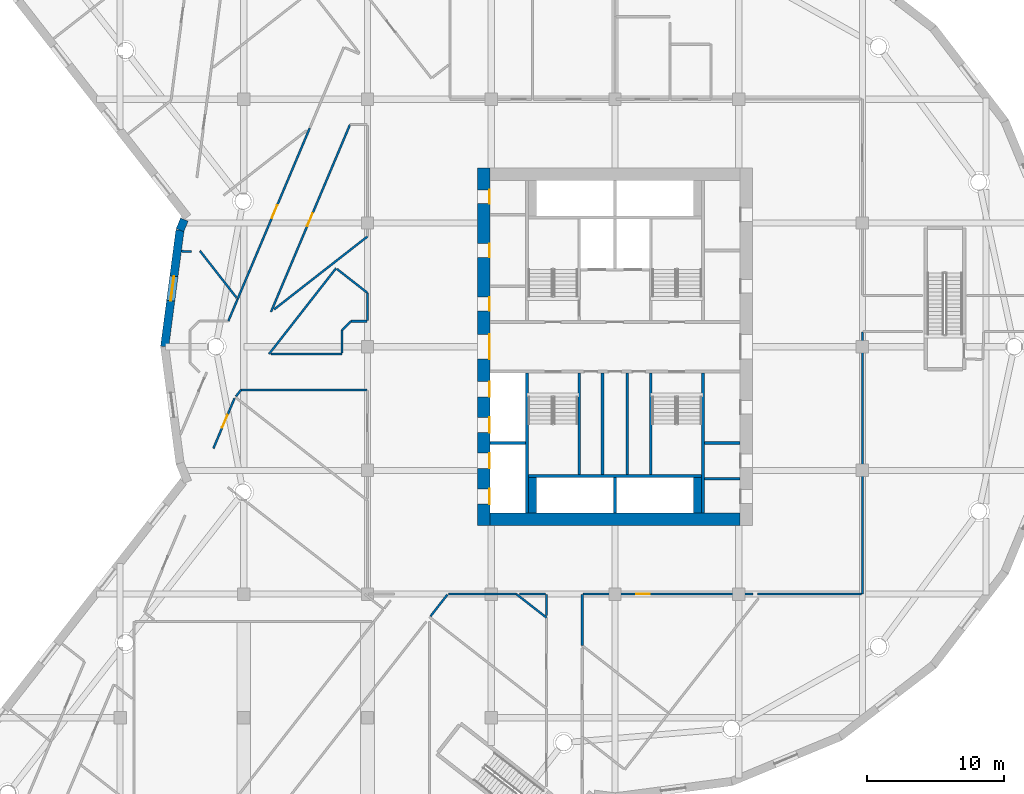
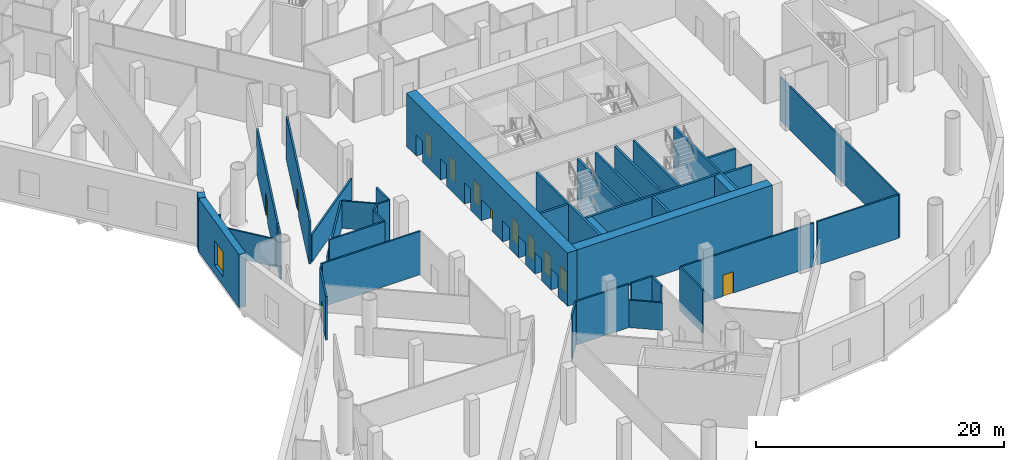
# One storey, part 6 of 23: 42 walls, 12 doors, 1 window, 13 openings.
"""IFC4 building model written with IfcOpenShell, lengths in metres."""

from ifc_helpers import new_model, si_unit, direction, frame, frame_2d, origin, place, context, subcontext, project, spatial, rectangle, extrude, material, layer, layer_set, type_object, element, fill, save


model = new_model("IFC4")

# Units and contexts
model_context = context("Model", 3, precision=1e-05, world=origin(), true_north=direction((0.0, 1.0)))
body_context = subcontext(model_context, "Body", "Model", "MODEL_VIEW")
ifc_project = project(units=[si_unit("LENGTHUNIT", "METRE"), si_unit("AREAUNIT", "SQUARE_METRE"), si_unit("VOLUMEUNIT", "CUBIC_METRE"), si_unit("PLANEANGLEUNIT", "RADIAN"), si_unit("MASSUNIT", "GRAM", prefix="KILO")], contexts=[model_context])

# Site, building, storey
site_placement = place(None, origin())
site = spatial("IfcSite", under=ifc_project, at=site_placement, CompositionType="ELEMENT")
building_placement = place(site_placement, origin())
building = spatial("IfcBuilding", under=site, at=building_placement, Name="Tarsis Ring Headquarters", CompositionType="ELEMENT")
storey_placement = place(building_placement, frame((0.0, 0.0, 14.0)))
storey = spatial("IfcBuildingStorey", under=building, at=storey_placement, Name="L02", CompositionType="ELEMENT", Elevation=14.0)

# Walls
ifc_material_1 = material(Name="Blockwork", Category="masonry")
ifc_layer_1 = layer(ifc_material_1, 0.199951171875)
ifc_layer_set_1 = layer_set([ifc_layer_1], Name="Core blockwork wall 200")
wall_type_1 = type_object("IfcWallType", Name="Core blockwork wall 200", PredefinedType="PARTITIONING", material=ifc_layer_set_1)
for number, where, z_axis, x_axis, name in (
    (1, (6.5, -9.60009765625, 0.0), (0.0, 0.0, 1.0), (1.0, 0.0, 0.0), "Core partition ED1"),
    (2, (6.5, -7.0, 0.0), (0.0, 0.0, 1.0), (1.0, 0.0, 0.0), "Core partition ED2"),
):
    element("IfcWall", number, at=place(storey_placement, frame(where, z_axis=z_axis, x_axis=x_axis)), inside=storey, type_object=wall_type_1, Name=name, PredefinedType="PARTITIONING", context=body_context, shape_type="SweptSolid", body=[
        extrude(rectangle(XDim=2.60009765625, YDim=0.199951171875, at=frame_2d((1.300048828125, 0.0))), origin(), (0.0, 0.0, 1.0), 5.25),
    ])
for number, where, z_axis, x_axis, name in (
    (3, (-0.89990234375, -9.300048828125, 0.0), (0.0, 0.0, 1.0), (0.0, 1.0, 0.0), "Core partition SV1"),
    (4, (0.89990234375, -9.300048828125, 0.0), (0.0, 0.0, 1.0), (0.0, 1.0, 0.0), "Core partition SV2"),
):
    element("IfcWall", number, at=place(storey_placement, frame(where, z_axis=z_axis, x_axis=x_axis)), inside=storey, type_object=wall_type_1, Name=name, PredefinedType="PARTITIONING", context=body_context, shape_type="SweptSolid", body=[
        extrude(rectangle(XDim=7.400146484375, YDim=0.199951171875, at=frame_2d((3.7001953125, 0.0))), origin(), (0.0, 0.0, 1.0), 5.25),
    ])

# Wall, openings, doors
ifc_material_2 = material(Name="Concrete C60/75", Category="concrete")
ifc_layer_2 = layer(ifc_material_2, 0.89990234375)
ifc_layer_set_2 = layer_set([ifc_layer_2], Name="Core wall 900 C60/75")
wall_type_2 = type_object("IfcWallType", Name="Core wall 900 C60/75", PredefinedType="SHEAR", material=ifc_layer_set_2)
wall_1_placement = place(storey_placement, frame((-9.550048828125, -13.0, 0.0), z_axis=(0.0, 0.0, 1.0), x_axis=(0.0, 1.0, 0.0)))
wall_1 = element("IfcWall", 5, at=wall_1_placement, inside=storey, type_object=wall_type_2, Name="Core wall OW", PredefinedType="SHEAR", context=body_context, shape_type="SweptSolid", body=[
    extrude(rectangle(XDim=26.0, YDim=0.89990234375, at=frame_2d((13.0, 0.0))), origin(), (0.0, 0.0, 1.0), 5.25),
])
opening_1_placement = place(wall_1_placement, frame((1.550048828125, 0.0, 0.0)))
opening_1 = element("IfcOpeningElement", 6, at=opening_1_placement, cuts=wall_1, Name="Opening LD-LR1", PredefinedType="OPENING", context=body_context, shape_type="SweptSolid", body=[
    extrude(rectangle(XDim=1.10009765625, YDim=2.10009765625, at=frame_2d((0.550048828125, 1.050048828125))), frame((0.0, 0.4599609375, 0.0), z_axis=(0.0, -1.0, 0.0), x_axis=(1.0, 0.0, 0.0)), (0.0, 0.0, 1.0), 0.919921875),
])
opening_2_placement = place(wall_1_placement, frame((4.14990234375, 0.0, 0.0)))
opening_2 = element("IfcOpeningElement", 7, at=opening_2_placement, cuts=wall_1, Name="Opening LD-LR2", PredefinedType="OPENING", context=body_context, shape_type="SweptSolid", body=[
    extrude(rectangle(XDim=1.10009765625, YDim=2.10009765625, at=frame_2d((0.550048828125, 1.050048828125))), frame((0.0, 0.4599609375, 0.0), z_axis=(0.0, -1.0, 0.0), x_axis=(1.0, 0.0, 0.0)), (0.0, 0.0, 1.0), 0.919921875),
])
opening_3_placement = place(wall_1_placement, frame((6.75, 0.0, 0.0)))
opening_3 = element("IfcOpeningElement", 8, at=opening_3_placement, cuts=wall_1, Name="Opening LD-LR3", PredefinedType="OPENING", context=body_context, shape_type="SweptSolid", body=[
    extrude(rectangle(XDim=1.10009765625, YDim=2.10009765625, at=frame_2d((0.550048828125, 1.050048828125))), frame((0.0, 0.4599609375, 0.0), z_axis=(0.0, -1.0, 0.0), x_axis=(1.0, 0.0, 0.0)), (0.0, 0.0, 1.0), 0.919921875),
])
opening_4_placement = place(wall_1_placement, frame((9.35009765625, 0.0, 0.0)))
opening_4 = element("IfcOpeningElement", 9, at=opening_4_placement, cuts=wall_1, Name="Opening LD-LR4", PredefinedType="OPENING", context=body_context, shape_type="SweptSolid", body=[
    extrude(rectangle(XDim=1.10009765625, YDim=2.10009765625, at=frame_2d((0.550048828125, 1.050048828125))), frame((0.0, 0.4599609375, 0.0), z_axis=(0.0, -1.0, 0.0), x_axis=(1.0, 0.0, 0.0)), (0.0, 0.0, 1.0), 0.919921875),
])
opening_5_placement = place(wall_1_placement, frame((12.10009765625, 0.0, 0.0)))
opening_5 = element("IfcOpeningElement", 10, at=opening_5_placement, cuts=wall_1, Name="Opening L02-C05", PredefinedType="OPENING", context=body_context, shape_type="SweptSolid", body=[
    extrude(rectangle(XDim=1.800048828125, YDim=2.10009765625, at=frame_2d((0.89990234375, 1.050048828125))), frame((0.0, 0.4599609375, 0.0), z_axis=(0.0, -1.0, 0.0), x_axis=(1.0, 0.0, 0.0)), (0.0, 0.0, 1.0), 0.919921875),
])
opening_6_placement = place(wall_1_placement, frame((15.60009765625, 0.0, 0.0)))
opening_6 = element("IfcOpeningElement", 11, at=opening_6_placement, cuts=wall_1, Name="Opening L02-C06", PredefinedType="OPENING", context=body_context, shape_type="SweptSolid", body=[
    extrude(rectangle(XDim=1.0, YDim=2.10009765625, at=frame_2d((0.5, 1.050048828125))), frame((0.0, 0.4599609375, 0.0), z_axis=(0.0, -1.0, 0.0), x_axis=(1.0, 0.0, 0.0)), (0.0, 0.0, 1.0), 0.919921875),
])
opening_7_placement = place(wall_1_placement, frame((19.5, 0.0, 0.0)))
opening_7 = element("IfcOpeningElement", 12, at=opening_7_placement, cuts=wall_1, Name="Opening L02-C07", PredefinedType="OPENING", context=body_context, shape_type="SweptSolid", body=[
    extrude(rectangle(XDim=1.0, YDim=2.10009765625, at=frame_2d((0.5, 1.050048828125))), frame((0.0, 0.4599609375, 0.0), z_axis=(0.0, -1.0, 0.0), x_axis=(1.0, 0.0, 0.0)), (0.0, 0.0, 1.0), 0.919921875),
])
opening_8_placement = place(wall_1_placement, frame((23.39990234375, 0.0, 0.0)))
opening_8 = element("IfcOpeningElement", 13, at=opening_8_placement, cuts=wall_1, Name="Opening L02-C08", PredefinedType="OPENING", context=body_context, shape_type="SweptSolid", body=[
    extrude(rectangle(XDim=1.0, YDim=2.10009765625, at=frame_2d((0.5, 1.050048828125))), frame((0.0, 0.4599609375, 0.0), z_axis=(0.0, -1.0, 0.0), x_axis=(1.0, 0.0, 0.0)), (0.0, 0.0, 1.0), 0.919921875),
])
ifc_material_3 = material(Name="Steel S355", Category="steel")
door_type_1 = type_object("IfcDoorType", Name="Core entry door 1800x2100", OperationType="DOUBLE_DOOR_SINGLE_SWING", PredefinedType="DOOR", material=ifc_material_3)
door_1_placement = place(opening_5_placement, origin())
door_1 = element("IfcDoor", 14, at=door_1_placement, inside=storey, type_object=door_type_1, Name="Core entry door L02", OperationType="DOUBLE_DOOR_SINGLE_SWING", OverallHeight=2.10009765625, OverallWidth=1.800048828125, PredefinedType="DOOR", context=body_context, shape_type="SweptSolid", body=[
    extrude(rectangle(XDim=1.800048828125, YDim=2.10009765625, at=frame_2d((0.89990234375, 1.050048828125))), frame((0.0, -0.39990234375, 0.0), z_axis=(0.0, -1.0, 0.0), x_axis=(1.0, 0.0, 0.0)), (0.0, 0.0, 1.0), 0.050048828125),
])
fill(opening_5, door_1)
door_type_2 = type_object("IfcDoorType", Name="Core room door 1000x2100", OperationType="SINGLE_SWING_LEFT", PredefinedType="DOOR", material=ifc_material_3)
door_2_placement = place(opening_6_placement, origin())
door_2 = element("IfcDoor", 15, at=door_2_placement, inside=storey, type_object=door_type_2, Name="Core room door L02", OperationType="SINGLE_SWING_LEFT", OverallHeight=2.10009765625, OverallWidth=1.0, PredefinedType="DOOR", context=body_context, shape_type="SweptSolid", body=[
    extrude(rectangle(XDim=1.0, YDim=2.10009765625, at=frame_2d((0.5, 1.050048828125))), frame((0.0, -0.39990234375, 0.0), z_axis=(0.0, -1.0, 0.0), x_axis=(1.0, 0.0, 0.0)), (0.0, 0.0, 1.0), 0.050048828125),
])
fill(opening_6, door_2)
door_3_placement = place(opening_7_placement, origin())
door_3 = element("IfcDoor", 16, at=door_3_placement, inside=storey, type_object=door_type_2, Name="Core room door L02", OperationType="SINGLE_SWING_LEFT", OverallHeight=2.10009765625, OverallWidth=1.0, PredefinedType="DOOR", context=body_context, shape_type="SweptSolid", body=[
    extrude(rectangle(XDim=1.0, YDim=2.10009765625, at=frame_2d((0.5, 1.050048828125))), frame((0.0, -0.39990234375, 0.0), z_axis=(0.0, -1.0, 0.0), x_axis=(1.0, 0.0, 0.0)), (0.0, 0.0, 1.0), 0.050048828125),
])
fill(opening_7, door_3)
door_4_placement = place(opening_8_placement, origin())
door_4 = element("IfcDoor", 17, at=door_4_placement, inside=storey, type_object=door_type_2, Name="Core room door L02", OperationType="SINGLE_SWING_LEFT", OverallHeight=2.10009765625, OverallWidth=1.0, PredefinedType="DOOR", context=body_context, shape_type="SweptSolid", body=[
    extrude(rectangle(XDim=1.0, YDim=2.10009765625, at=frame_2d((0.5, 1.050048828125))), frame((0.0, -0.39990234375, 0.0), z_axis=(0.0, -1.0, 0.0), x_axis=(1.0, 0.0, 0.0)), (0.0, 0.0, 1.0), 0.050048828125),
])
fill(opening_8, door_4)
door_type_3 = type_object("IfcDoorType", Name="Landing door 1100x2100", OperationType="SLIDING_TO_LEFT", PredefinedType="DOOR", material=ifc_material_3)
door_5_placement = place(opening_1_placement, origin())
door_5 = element("IfcDoor", 18, at=door_5_placement, inside=storey, type_object=door_type_3, Name="Landing door LR1 L02", OperationType="SLIDING_TO_LEFT", OverallHeight=2.10009765625, OverallWidth=1.10009765625, PredefinedType="DOOR", context=body_context, shape_type="SweptSolid", body=[
    extrude(rectangle(XDim=1.10009765625, YDim=2.10009765625, at=frame_2d((0.550048828125, 1.050048828125))), frame((0.0, -0.39990234375, 0.0), z_axis=(0.0, -1.0, 0.0), x_axis=(1.0, 0.0, 0.0)), (0.0, 0.0, 1.0), 0.050048828125),
])
fill(opening_1, door_5)
door_6_placement = place(opening_2_placement, origin())
door_6 = element("IfcDoor", 19, at=door_6_placement, inside=storey, type_object=door_type_3, Name="Landing door LR2 L02", OperationType="SLIDING_TO_LEFT", OverallHeight=2.10009765625, OverallWidth=1.10009765625, PredefinedType="DOOR", context=body_context, shape_type="SweptSolid", body=[
    extrude(rectangle(XDim=1.10009765625, YDim=2.10009765625, at=frame_2d((0.550048828125, 1.050048828125))), frame((0.0, -0.39990234375, 0.0), z_axis=(0.0, -1.0, 0.0), x_axis=(1.0, 0.0, 0.0)), (0.0, 0.0, 1.0), 0.050048828125),
])
fill(opening_2, door_6)
door_7_placement = place(opening_3_placement, origin())
door_7 = element("IfcDoor", 20, at=door_7_placement, inside=storey, type_object=door_type_3, Name="Landing door LR3 L02", OperationType="SLIDING_TO_LEFT", OverallHeight=2.10009765625, OverallWidth=1.10009765625, PredefinedType="DOOR", context=body_context, shape_type="SweptSolid", body=[
    extrude(rectangle(XDim=1.10009765625, YDim=2.10009765625, at=frame_2d((0.550048828125, 1.050048828125))), frame((0.0, -0.39990234375, 0.0), z_axis=(0.0, -1.0, 0.0), x_axis=(1.0, 0.0, 0.0)), (0.0, 0.0, 1.0), 0.050048828125),
])
fill(opening_3, door_7)
door_8_placement = place(opening_4_placement, origin())
door_8 = element("IfcDoor", 21, at=door_8_placement, inside=storey, type_object=door_type_3, Name="Landing door LR4 L02", OperationType="SLIDING_TO_LEFT", OverallHeight=2.10009765625, OverallWidth=1.10009765625, PredefinedType="DOOR", context=body_context, shape_type="SweptSolid", body=[
    extrude(rectangle(XDim=1.10009765625, YDim=2.10009765625, at=frame_2d((0.550048828125, 1.050048828125))), frame((0.0, -0.39990234375, 0.0), z_axis=(0.0, -1.0, 0.0), x_axis=(1.0, 0.0, 0.0)), (0.0, 0.0, 1.0), 0.050048828125),
])
fill(opening_4, door_8)

# Walls
wall_2_placement = place(storey_placement, frame((-9.10009765625, -12.550048828125, 0.0), z_axis=(0.0, 0.0, 1.0), x_axis=(1.0, 0.0, 0.0)))
element("IfcWall", 22, at=wall_2_placement, inside=storey, type_object=wall_type_2, Name="Core wall OS", PredefinedType="SHEAR", context=body_context, shape_type="SweptSolid", body=[
    extrude(rectangle(XDim=18.2001953125, YDim=0.89990234375, at=frame_2d((9.10009765625, 0.0))), origin(), (0.0, 0.0, 1.0), 5.25),
])
ifc_material_4 = material(Name="Plasterboard partition")
ifc_layer_3 = layer(ifc_material_4, 0.14990234375)
ifc_layer_set_3 = layer_set([ifc_layer_3], Name="PO-PW150")
wall_type_3 = type_object("IfcWallType", Name="PO-PW150", PredefinedType="PARTITIONING", material=ifc_layer_set_3)
wall_3_placement = place(storey_placement, frame((-24.79345703125, 2.710205078125, 0.0), z_axis=(0.0, 0.0, 1.0), x_axis=(0.788011493359, 0.615660528485, 0.0)))
element("IfcWall", 23, at=wall_3_placement, inside=storey, type_object=wall_type_3, Name="L02 partition wall 37", PredefinedType="PARTITIONING", context=body_context, shape_type="SweptSolid", body=[
    extrude(rectangle(XDim=8.62109375, YDim=0.14990234375, at=frame_2d((4.310546875, 0.0))), origin(), (0.0, 0.0, 1.0), 2.699951171875),
])
wall_4_placement = place(storey_placement, frame((-20.29150390625, 5.701416015625, 0.0), z_axis=(0.0, 0.0, 1.0), x_axis=(-0.61566618212, -0.788007076233, 0.0)))
element("IfcWall", 24, at=wall_4_placement, inside=storey, type_object=wall_type_3, Name="L02 partition wall 46", PredefinedType="PARTITIONING", context=body_context, shape_type="SweptSolid", body=[
    extrude(rectangle(XDim=7.91748046875, YDim=0.14990234375, at=frame_2d((3.958740234375, 0.0))), origin(), (0.0, 0.0, 1.0), 2.699951171875),
])
wall_5_placement = place(storey_placement, frame((-27.531494140625, 3.56396484375, 0.0), z_axis=(0.0, 0.0, 1.0), x_axis=(-0.615670331199, 0.78800383456, 0.0)))
element("IfcWall", 25, at=wall_5_placement, inside=storey, type_object=wall_type_3, Name="L02 partition wall 80", PredefinedType="PARTITIONING", context=body_context, shape_type="SweptSolid", body=[
    extrude(rectangle(XDim=4.3251953125, YDim=0.14990234375, at=frame_2d((2.16259765625, 0.0))), origin(), (0.0, 0.0, 1.0), 2.699951171875),
])
wall_6_placement = place(storey_placement, frame((-18.0, 3.910888671875, 0.0), z_axis=(0.0, 0.0, 1.0), x_axis=(-0.787992962022, 0.615684246838, 0.0)))
element("IfcWall", 26, at=wall_6_placement, inside=storey, type_object=wall_type_3, Name="L02 partition wall 101", PredefinedType="PARTITIONING", context=body_context, shape_type="SweptSolid", body=[
    extrude(rectangle(XDim=2.828125, YDim=0.14990234375, at=frame_2d((1.4140625, 0.0))), origin(), (0.0, 0.0, 1.0), 2.699951171875),
])
wall_7_placement = place(storey_placement, frame((-7.17236328125, -18.0, 0.0), z_axis=(0.0, 0.0, 1.0), x_axis=(0.787999099061, -0.615676392173, 0.0)))
element("IfcWall", 27, at=wall_7_placement, inside=storey, type_object=wall_type_3, Name="L02 partition wall 108", PredefinedType="PARTITIONING", context=body_context, shape_type="SweptSolid", body=[
    extrude(rectangle(XDim=2.782470703125, YDim=0.14990234375, at=frame_2d((1.39111328125, 0.0))), origin(), (0.0, 0.0, 1.0), 2.699951171875),
])
ifc_layer_4 = layer(ifc_material_4, 0.14990234375)
ifc_layer_set_4 = layer_set([ifc_layer_4], Name="PO-PW150R-4283")
wall_type_4 = type_object("IfcWallType", Name="PO-PW150R-4283", PredefinedType="PARTITIONING", material=ifc_layer_set_4)
wall_8_placement = place(storey_placement, frame((18.0, 1.050048828125, 0.0), z_axis=(0.0, 0.0, 1.0), x_axis=(0.0, -1.0, 0.0)))
element("IfcWall", 28, at=wall_8_placement, inside=storey, type_object=wall_type_4, Name="L02 partition wall 3", PredefinedType="PARTITIONING", context=body_context, shape_type="SweptSolid", body=[
    extrude(rectangle(XDim=19.050048828125, YDim=0.14990234375, at=frame_2d((9.52490234375, 0.0))), origin(), (0.0, 0.0, 1.0), 4.282958984375),
])

# Wall, opening, door
wall_9_placement = place(storey_placement, frame((-19.27587890625, 16.14990234375, 0.0), z_axis=(0.0, 0.0, 1.0), x_axis=(-0.388748046942, -0.921344102927, 0.0)))
wall_9 = element("IfcWall", 29, at=wall_9_placement, inside=storey, type_object=wall_type_4, Name="L02 partition wall 8", PredefinedType="PARTITIONING", context=body_context, shape_type="SweptSolid", body=[
    extrude(rectangle(XDim=14.781005859375, YDim=0.14990234375, at=frame_2d((7.390625, 0.0))), origin(), (0.0, 0.0, 1.0), 4.282958984375),
])
opening_9_placement = place(wall_9_placement, frame((7.0, 0.0, 0.0)))
opening_9 = element("IfcOpeningElement", 30, at=opening_9_placement, cuts=wall_9, Name="Opening PO-D1", PredefinedType="OPENING", context=body_context, shape_type="SweptSolid", body=[
    extrude(rectangle(XDim=1.0, YDim=2.10009765625, at=frame_2d((0.5, 1.050048828125))), frame((0.0, 0.0849609375, 0.0), z_axis=(0.0, -1.0, 0.0), x_axis=(1.0, 0.0, 0.0)), (0.0, 0.0, 1.0), 0.169921875),
])
ifc_material_5 = material(Name="Timber door", Category="wood")
door_type_4 = type_object("IfcDoorType", Name="PO-D1000", OperationType="NOTDEFINED", PredefinedType="DOOR", material=ifc_material_5)
door_9_placement = place(opening_9_placement, origin())
door_9 = element("IfcDoor", 31, at=door_9_placement, inside=storey, type_object=door_type_4, Name="Breakout room door", OperationType="SINGLE_SWING_LEFT", OverallHeight=2.10009765625, OverallWidth=1.0, PredefinedType="DOOR", context=body_context, shape_type="SweptSolid", body=[
    extrude(rectangle(XDim=1.0, YDim=2.10009765625, at=frame_2d((0.5, 1.050048828125))), frame((0.0, 0.02490234375, 0.0), z_axis=(0.0, -1.0, 0.0), x_axis=(1.0, 0.0, 0.0)), (0.0, 0.0, 1.0), 0.050048828125),
])
fill(opening_9, door_9)

wall_10_placement = place(storey_placement, frame((-27.451171875, 3.462646484375, 0.0), z_axis=(0.0, 0.0, 1.0), x_axis=(0.388747276971, 0.921344427805, 0.0)))
wall_10 = element("IfcWall", 32, at=wall_10_placement, inside=storey, type_object=wall_type_4, Name="L02 partition wall 11", PredefinedType="PARTITIONING", context=body_context, shape_type="SweptSolid", body=[
    extrude(rectangle(XDim=13.501220703125, YDim=0.14990234375, at=frame_2d((6.75048828125, 0.0))), origin(), (0.0, 0.0, 1.0), 4.282958984375),
])
opening_10_placement = place(wall_10_placement, frame((6.408447265625, 0.0, 0.0)))
opening_10 = element("IfcOpeningElement", 33, at=opening_10_placement, cuts=wall_10, Name="Opening PO-D1", PredefinedType="OPENING", context=body_context, shape_type="SweptSolid", body=[
    extrude(rectangle(XDim=1.0, YDim=2.10009765625, at=frame_2d((0.5, 1.050048828125))), frame((0.0, 0.0849609375, 0.0), z_axis=(0.0, -1.0, 0.0), x_axis=(1.0, 0.0, 0.0)), (0.0, 0.0, 1.0), 0.169921875),
])
door_10_placement = place(opening_10_placement, origin())
door_10 = element("IfcDoor", 34, at=door_10_placement, inside=storey, type_object=door_type_4, Name="Breakout room door", OperationType="SINGLE_SWING_RIGHT", OverallHeight=2.10009765625, OverallWidth=1.0, PredefinedType="DOOR", context=body_context, shape_type="SweptSolid", body=[
    extrude(rectangle(XDim=1.0, YDim=2.10009765625, at=frame_2d((0.5, 1.050048828125))), frame((0.0, 0.02490234375, 0.0), z_axis=(0.0, -1.0, 0.0), x_axis=(1.0, 0.0, 0.0)), (0.0, 0.0, 1.0), 0.050048828125),
])
fill(opening_10, door_10)

wall_11_placement = place(storey_placement, frame((10.044677734375, -18.0, 0.0), z_axis=(0.0, 0.0, 1.0), x_axis=(-1.0, 0.0, 0.0)))
wall_11 = element("IfcWall", 35, at=wall_11_placement, inside=storey, type_object=wall_type_4, Name="L02 partition wall 18", PredefinedType="PARTITIONING", context=body_context, shape_type="SweptSolid", body=[
    extrude(rectangle(XDim=12.364501953125, YDim=0.14990234375, at=frame_2d((6.18212890625, 0.0))), origin(), (0.0, 0.0, 1.0), 4.282958984375),
])
opening_11_placement = place(wall_11_placement, frame((7.5, 0.0, 0.0)))
opening_11 = element("IfcOpeningElement", 36, at=opening_11_placement, cuts=wall_11, Name="Opening PO-D1", PredefinedType="OPENING", context=body_context, shape_type="SweptSolid", body=[
    extrude(rectangle(XDim=1.0, YDim=2.10009765625, at=frame_2d((0.5, 1.050048828125))), frame((0.0, 0.0849609375, 0.0), z_axis=(0.0, -1.0, 0.0), x_axis=(1.0, 0.0, 0.0)), (0.0, 0.0, 1.0), 0.169921875),
])
door_11_placement = place(opening_11_placement, origin())
door_11 = element("IfcDoor", 37, at=door_11_placement, inside=storey, type_object=door_type_4, Name="Conference foyer door", OperationType="SINGLE_SWING_RIGHT", OverallHeight=2.10009765625, OverallWidth=1.0, PredefinedType="DOOR", context=body_context, shape_type="SweptSolid", body=[
    extrude(rectangle(XDim=1.0, YDim=2.10009765625, at=frame_2d((0.5, 1.050048828125))), frame((0.0, 0.02490234375, 0.0), z_axis=(0.0, -1.0, 0.0), x_axis=(1.0, 0.0, 0.0)), (0.0, 0.0, 1.0), 0.050048828125),
])
fill(opening_11, door_11)

# Walls
wall_12_placement = place(storey_placement, frame((-18.0400390625, -3.1376953125, 0.0), z_axis=(0.0, 0.0, 1.0), x_axis=(-1.0, 0.0, 0.0)))
element("IfcWall", 38, at=wall_12_placement, inside=storey, type_object=wall_type_4, Name="L02 partition wall 34", PredefinedType="PARTITIONING", context=body_context, shape_type="SweptSolid", body=[
    extrude(rectangle(XDim=9.1572265625, YDim=0.14990234375, at=frame_2d((4.57861328125, 0.0))), origin(), (0.0, 0.0, 1.0), 4.282958984375),
])
wall_13_placement = place(storey_placement, frame((17.919921875, -18.0, 0.0), z_axis=(0.0, 0.0, 1.0), x_axis=(-1.0, 0.0, 0.0)))
element("IfcWall", 39, at=wall_13_placement, inside=storey, type_object=wall_type_4, Name="L02 partition wall 49", PredefinedType="PARTITIONING", context=body_context, shape_type="SweptSolid", body=[
    extrude(rectangle(XDim=7.5634765625, YDim=0.14990234375, at=frame_2d((3.78173828125, 0.0))), origin(), (0.0, 0.0, 1.0), 4.282958984375),
])
wall_14_placement = place(storey_placement, frame((-25.005859375, -0.53759765625, 0.0), z_axis=(0.0, 0.0, 1.0), x_axis=(1.0, 0.0, 0.0)))
element("IfcWall", 40, at=wall_14_placement, inside=storey, type_object=wall_type_4, Name="L02 partition wall 71", PredefinedType="PARTITIONING", context=body_context, shape_type="SweptSolid", body=[
    extrude(rectangle(XDim=5.15576171875, YDim=0.14990234375, at=frame_2d((2.577880859375, 0.0))), origin(), (0.0, 0.0, 1.0), 4.282958984375),
])
wall_15_placement = place(storey_placement, frame((-7.17236328125, -18.0, 0.0), z_axis=(0.0, 0.0, 1.0), x_axis=(-1.0, 0.0, 0.0)))
element("IfcWall", 41, at=wall_15_placement, inside=storey, type_object=wall_type_4, Name="L02 partition wall 76", PredefinedType="PARTITIONING", context=body_context, shape_type="SweptSolid", body=[
    extrude(rectangle(XDim=4.92724609375, YDim=0.14990234375, at=frame_2d((2.463623046875, 0.0))), origin(), (0.0, 0.0, 1.0), 4.282958984375),
])

# Wall, opening, door
wall_16_placement = place(storey_placement, frame((-27.67431640625, -3.75439453125, 0.0), z_axis=(0.0, 0.0, 1.0), x_axis=(-0.388748757235, -0.921343803229, 0.0)))
wall_16 = element("IfcWall", 42, at=wall_16_placement, inside=storey, type_object=wall_type_4, Name="L02 partition wall 86", PredefinedType="PARTITIONING", context=body_context, shape_type="SweptSolid", body=[
    extrude(rectangle(XDim=3.959716796875, YDim=0.14990234375, at=frame_2d((1.97998046875, 0.0))), origin(), (0.0, 0.0, 1.0), 4.282958984375),
])
opening_12_placement = place(wall_16_placement, frame((1.317138671875, 0.0, 0.0)))
opening_12 = element("IfcOpeningElement", 43, at=opening_12_placement, cuts=wall_16, Name="Opening PO-D1", PredefinedType="OPENING", context=body_context, shape_type="SweptSolid", body=[
    extrude(rectangle(XDim=1.0, YDim=2.10009765625, at=frame_2d((0.5, 1.050048828125))), frame((0.0, 0.0849609375, 0.0), z_axis=(0.0, -1.0, 0.0), x_axis=(1.0, 0.0, 0.0)), (0.0, 0.0, 1.0), 0.169921875),
])
door_12_placement = place(opening_12_placement, origin())
door_12 = element("IfcDoor", 44, at=door_12_placement, inside=storey, type_object=door_type_4, Name="Audio visual store door", OperationType="SINGLE_SWING_LEFT", OverallHeight=2.10009765625, OverallWidth=1.0, PredefinedType="DOOR", context=body_context, shape_type="SweptSolid", body=[
    extrude(rectangle(XDim=1.0, YDim=2.10009765625, at=frame_2d((0.5, 1.050048828125))), frame((0.0, 0.02490234375, 0.0), z_axis=(0.0, -1.0, 0.0), x_axis=(1.0, 0.0, 0.0)), (0.0, 0.0, 1.0), 0.050048828125),
])
fill(opening_12, door_12)

# Walls
wall_17_placement = place(storey_placement, frame((-2.3798828125, -18.0400390625, 0.0), z_axis=(0.0, 0.0, 1.0), x_axis=(0.0, -1.0, 0.0)))
element("IfcWall", 45, at=wall_17_placement, inside=storey, type_object=wall_type_4, Name="L02 partition wall 96", PredefinedType="PARTITIONING", context=body_context, shape_type="SweptSolid", body=[
    extrude(rectangle(XDim=3.704345703125, YDim=0.14990234375, at=frame_2d((1.85205078125, 0.0))), origin(), (0.0, 0.0, 1.0), 4.282958984375),
])
wall_18_placement = place(storey_placement, frame((-5.039794921875, -18.0, 0.0), z_axis=(0.0, 0.0, 1.0), x_axis=(-1.0, 0.0, 0.0)))
element("IfcWall", 46, at=wall_18_placement, inside=storey, type_object=wall_type_4, Name="L02 partition wall 119", PredefinedType="PARTITIONING", context=body_context, shape_type="SweptSolid", body=[
    extrude(rectangle(XDim=1.91259765625, YDim=0.14990234375, at=frame_2d((0.956298828125, 0.0))), origin(), (0.0, 0.0, 1.0), 4.282958984375),
])
wall_19_placement = place(storey_placement, frame((-12.19091796875, -18.0400390625, 0.0), z_axis=(0.0, 0.0, 1.0), x_axis=(-0.615655894317, -0.788015113937, 0.0)))
element("IfcWall", 47, at=wall_19_placement, inside=storey, type_object=wall_type_4, Name="L02 partition wall 123", PredefinedType="PARTITIONING", context=body_context, shape_type="SweptSolid", body=[
    extrude(rectangle(XDim=1.99853515625, YDim=0.14990234375, at=frame_2d((0.999267578125, 0.0))), origin(), (0.0, 0.0, 1.0), 4.282958984375),
])
wall_20_placement = place(storey_placement, frame((-18.0, 1.909912109375, 0.0), z_axis=(0.0, 0.0, 1.0), x_axis=(0.0, 1.0, 0.0)))
element("IfcWall", 48, at=wall_20_placement, inside=storey, type_object=wall_type_4, Name="L02 partition wall 126", PredefinedType="PARTITIONING", context=body_context, shape_type="SweptSolid", body=[
    extrude(rectangle(XDim=2.0009765625, YDim=0.14990234375, at=frame_2d((1.00048828125, 0.0))), origin(), (0.0, 0.0, 1.0), 4.282958984375),
])
wall_21_placement = place(storey_placement, frame((-19.85009765625, -0.457763671875, 0.0), z_axis=(0.0, 0.0, 1.0), x_axis=(0.0, 1.0, 0.0)))
element("IfcWall", 49, at=wall_21_placement, inside=storey, type_object=wall_type_4, Name="L02 partition wall 135", PredefinedType="PARTITIONING", context=body_context, shape_type="SweptSolid", body=[
    extrude(rectangle(XDim=1.65771484375, YDim=0.14990234375, at=frame_2d((0.828857421875, 0.0))), origin(), (0.0, 0.0, 1.0), 4.282958984375),
])
wall_22_placement = place(storey_placement, frame((-28.123046875, 1.8701171875, 0.0), z_axis=(0.0, 0.0, 1.0), x_axis=(0.388726754831, 0.921353086541, 0.0)))
element("IfcWall", 50, at=wall_22_placement, inside=storey, type_object=wall_type_4, Name="L02 partition wall 137", PredefinedType="PARTITIONING", context=body_context, shape_type="SweptSolid", body=[
    extrude(rectangle(XDim=1.72705078125, YDim=0.14990234375, at=frame_2d((0.863525390625, 0.0))), origin(), (0.0, 0.0, 1.0), 4.282958984375),
])
wall_23_placement = place(storey_placement, frame((-4.979736328125, -19.552978515625, 0.0), z_axis=(0.0, 0.0, 1.0), x_axis=(0.0, 1.0, 0.0)))
element("IfcWall", 51, at=wall_23_placement, inside=storey, type_object=wall_type_4, Name="L02 partition wall 141", PredefinedType="PARTITIONING", context=body_context, shape_type="SweptSolid", body=[
    extrude(rectangle(XDim=1.512939453125, YDim=0.14990234375, at=frame_2d((0.75634765625, 0.0))), origin(), (0.0, 0.0, 1.0), 4.282958984375),
])
wall_24_placement = place(storey_placement, frame((-19.199951171875, 1.85009765625, 0.0), z_axis=(0.0, 0.0, 1.0), x_axis=(1.0, 0.0, 0.0)))
element("IfcWall", 52, at=wall_24_placement, inside=storey, type_object=wall_type_4, Name="L02 partition wall 156", PredefinedType="PARTITIONING", context=body_context, shape_type="SweptSolid", body=[
    extrude(rectangle(XDim=1.159912109375, YDim=0.14990234375, at=frame_2d((0.580078125, 0.0))), origin(), (0.0, 0.0, 1.0), 4.282958984375),
])
wall_25_placement = place(storey_placement, frame((-19.85009765625, 1.199951171875, 0.0), z_axis=(0.0, 0.0, 1.0), x_axis=(0.707106781187, 0.707106781187, 0.0)))
element("IfcWall", 53, at=wall_25_placement, inside=storey, type_object=wall_type_4, Name="L02 partition wall 168", PredefinedType="PARTITIONING", context=body_context, shape_type="SweptSolid", body=[
    extrude(rectangle(XDim=0.91943359375, YDim=0.14990234375, at=frame_2d((0.459716796875, 0.0))), origin(), (0.0, 0.0, 1.0), 4.282958984375),
])
wall_26_placement = place(storey_placement, frame((-30.80712890625, 6.91015625, 0.0), z_axis=(0.0, 0.0, 1.0), x_axis=(-0.99878935932, 0.049191622356, 0.0)))
element("IfcWall", 54, at=wall_26_placement, inside=storey, type_object=wall_type_4, Name="L02 partition wall 173", PredefinedType="PARTITIONING", context=body_context, shape_type="SweptSolid", body=[
    extrude(rectangle(XDim=0.734619140625, YDim=0.14990234375, at=frame_2d((0.3671875, 0.0))), origin(), (0.0, 0.0, 1.0), 4.282958984375),
])
wall_27_placement = place(storey_placement, frame((-27.197265625, -3.1376953125, 0.0), z_axis=(0.0, 0.0, 1.0), x_axis=(-0.615620478489, -0.788042782129, 0.0)))
element("IfcWall", 55, at=wall_27_placement, inside=storey, type_object=wall_type_4, Name="L02 partition wall 174", PredefinedType="PARTITIONING", context=body_context, shape_type="SweptSolid", body=[
    extrude(rectangle(XDim=0.603271484375, YDim=0.14990234375, at=frame_2d((0.3017578125, 0.0))), origin(), (0.0, 0.0, 1.0), 4.282958984375),
])
ifc_layer_5 = layer(ifc_material_2, 0.60009765625)
ifc_layer_set_5 = layer_set([ifc_layer_5], Name="PO-W600")
wall_type_5 = type_object("IfcWallType", Name="PO-W600", PredefinedType="SOLIDWALL", material=ifc_layer_set_5)
wall_28_placement = place(storey_placement, frame((-31.325927734375, 9.24072265625, 0.0), z_axis=(0.0, 0.0, 1.0), x_axis=(-0.382534701942, -0.923941124645, 0.0)))
element("IfcWall", 56, at=wall_28_placement, inside=storey, type_object=wall_type_5, Name="L02 external wall 2", PredefinedType="SOLIDWALL", context=body_context, shape_type="SweptSolid", body=[
    extrude(rectangle(XDim=0.8251953125, YDim=0.60009765625, at=frame_2d((0.41259765625, 0.0))), origin(), (0.0, 0.0, 1.0), 5.25),
])

# Wall, opening, window
wall_29_placement = place(storey_placement, frame((-31.6416015625, 8.478271484375, 0.0), z_axis=(0.0, 0.0, 1.0), x_axis=(-0.130529102837, -0.991444478179, 0.0)))
wall_29 = element("IfcWall", 57, at=wall_29_placement, inside=storey, type_object=wall_type_5, Name="L02 external wall 3", PredefinedType="SOLIDWALL", context=body_context, shape_type="SweptSolid", body=[
    extrude(rectangle(XDim=8.551513671875, YDim=0.60009765625, at=frame_2d((4.27587890625, 0.0))), origin(), (0.0, 0.0, 1.0), 5.25),
])
opening_13_placement = place(wall_29_placement, frame((3.375732421875, 0.0, 0.89990234375)))
opening_13 = element("IfcOpeningElement", 58, at=opening_13_placement, cuts=wall_29, Name="Opening PO-WN1", PredefinedType="OPENING", context=body_context, shape_type="SweptSolid", body=[
    extrude(rectangle(XDim=1.800048828125, YDim=2.39990234375, at=frame_2d((0.89990234375, 1.199951171875))), frame((0.0, 0.31005859375, 0.0), z_axis=(0.0, -1.0, 0.0), x_axis=(1.0, 0.0, 0.0)), (0.0, 0.0, 1.0), 0.6201171875),
])
ifc_material_6 = material(Name="Double glazing", Category="glass")
window_type = type_object("IfcWindowType", Name="PO-WN1800", PartitioningType="SINGLE_PANEL", PredefinedType="WINDOW", material=ifc_material_6)
window_placement = place(opening_13_placement, origin())
window = element("IfcWindow", 59, at=window_placement, inside=storey, type_object=window_type, Name="L02 window 3.1", OverallHeight=2.39990234375, OverallWidth=1.800048828125, PartitioningType="SINGLE_PANEL", PredefinedType="WINDOW", context=body_context, shape_type="SweptSolid", body=[
    extrude(rectangle(XDim=1.800048828125, YDim=2.39990234375, at=frame_2d((0.89990234375, 1.199951171875))), frame((0.0, 0.030029296875, 0.0), z_axis=(0.0, -1.0, 0.0), x_axis=(1.0, 0.0, 0.0)), (0.0, 0.0, 1.0), 0.06005859375),
])
fill(opening_13, window)

# Walls
ifc_material_7 = material(Name="Concrete C32/40", Category="concrete")
ifc_layer_6 = layer(ifc_material_7, 0.60009765625)
ifc_layer_set_6 = layer_set([ifc_layer_6], Name="Shaft end wall 600 C32/40")
wall_type_6 = type_object("IfcWallType", Name="Shaft end wall 600 C32/40", PredefinedType="SOLIDWALL", material=ifc_layer_set_6)
for number, where, z_axis, x_axis, name in (
    (60, (-6.0, -12.10009765625, 0.0), (0.0, 0.0, 1.0), (0.0, 1.0, 0.0), "Core shaft wall SNE1"),
    (61, (6.0, -12.10009765625, 0.0), (0.0, 0.0, 1.0), (0.0, 1.0, 0.0), "Core shaft wall SNE2"),
):
    element("IfcWall", number, at=place(storey_placement, frame(where, z_axis=z_axis, x_axis=x_axis)), inside=storey, type_object=wall_type_6, Name=name, PredefinedType="SOLIDWALL", context=body_context, shape_type="SweptSolid", body=[
        extrude(rectangle(XDim=2.60009765625, YDim=0.60009765625, at=frame_2d((1.300048828125, 0.0))), origin(), (0.0, 0.0, 1.0), 5.25),
    ])
ifc_layer_7 = layer(ifc_material_7, 0.199951171875)
ifc_layer_set_7 = layer_set([ifc_layer_7], Name="Shaft wall 200 C32/40")
wall_type_7 = type_object("IfcWallType", Name="Shaft wall 200 C32/40", PredefinedType="SOLIDWALL", material=ifc_layer_set_7)
for number, where, z_axis, x_axis, name in (
    (62, (-6.39990234375, -12.10009765625, 0.0), (0.0, 0.0, 1.0), (0.0, 1.0, 0.0), "Core shaft wall WB1"),
    (63, (6.39990234375, -12.10009765625, 0.0), (0.0, 0.0, 1.0), (0.0, 1.0, 0.0), "Core shaft wall EB1"),
):
    element("IfcWall", number, at=place(storey_placement, frame(where, z_axis=z_axis, x_axis=x_axis)), inside=storey, type_object=wall_type_7, Name=name, PredefinedType="SOLIDWALL", context=body_context, shape_type="SweptSolid", body=[
        extrude(rectangle(XDim=10.2001953125, YDim=0.199951171875, at=frame_2d((5.10009765625, 0.0))), origin(), (0.0, 0.0, 1.0), 5.25),
    ])
wall_30_placement = place(storey_placement, frame((-6.300048828125, -9.39990234375, 0.0), z_axis=(0.0, 0.0, 1.0), x_axis=(1.0, 0.0, 0.0)))
element("IfcWall", 64, at=wall_30_placement, inside=storey, type_object=wall_type_7, Name="Core shaft wall SB", PredefinedType="SOLIDWALL", context=body_context, shape_type="SweptSolid", body=[
    extrude(rectangle(XDim=12.60009765625, YDim=0.199951171875, at=frame_2d((6.300048828125, 0.0))), origin(), (0.0, 0.0, 1.0), 5.25),
])
for number, where, z_axis, x_axis, name in (
    (65, (-2.60009765625, -9.300048828125, 0.0), (0.0, 0.0, 1.0), (0.0, 1.0, 0.0), "Core shaft wall SW3"),
    (66, (2.60009765625, -9.300048828125, 0.0), (0.0, 0.0, 1.0), (0.0, 1.0, 0.0), "Core shaft wall SW4"),
):
    element("IfcWall", number, at=place(storey_placement, frame(where, z_axis=z_axis, x_axis=x_axis)), inside=storey, type_object=wall_type_7, Name=name, PredefinedType="SOLIDWALL", context=body_context, shape_type="SweptSolid", body=[
        extrude(rectangle(XDim=7.400146484375, YDim=0.199951171875, at=frame_2d((3.7001953125, 0.0))), origin(), (0.0, 0.0, 1.0), 5.25),
    ])
for number, where, z_axis, x_axis, name in (
    (67, (-9.10009765625, -7.0, 0.0), (0.0, 0.0, 1.0), (1.0, 0.0, 0.0), "Core shaft wall WD2"),
    (68, (0.0, -12.10009765625, 0.0), (0.0, 0.0, 1.0), (0.0, 1.0, 0.0), "Core shaft wall SD2"),
):
    element("IfcWall", number, at=place(storey_placement, frame(where, z_axis=z_axis, x_axis=x_axis)), inside=storey, type_object=wall_type_7, Name=name, PredefinedType="SOLIDWALL", context=body_context, shape_type="SweptSolid", body=[
        extrude(rectangle(XDim=2.60009765625, YDim=0.199951171875, at=frame_2d((1.300048828125, 0.0))), origin(), (0.0, 0.0, 1.0), 5.25),
    ])

save(model, "model.ifc")
